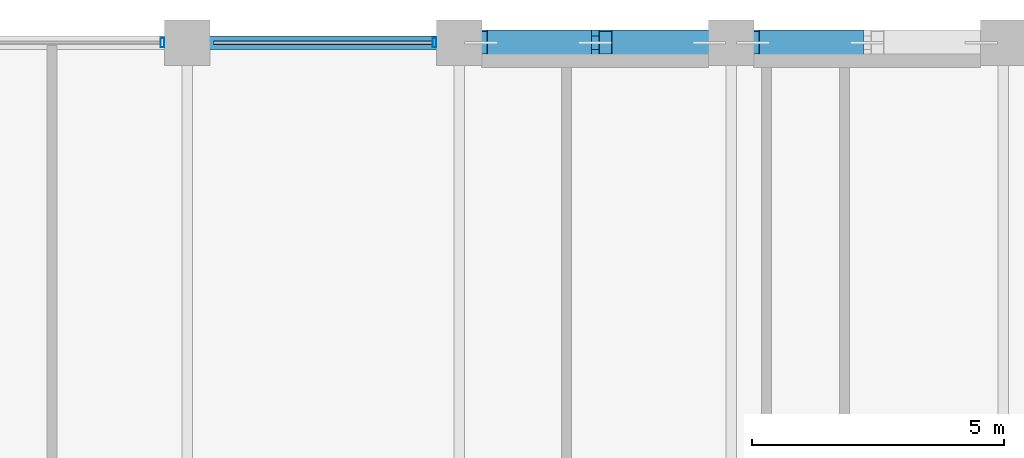
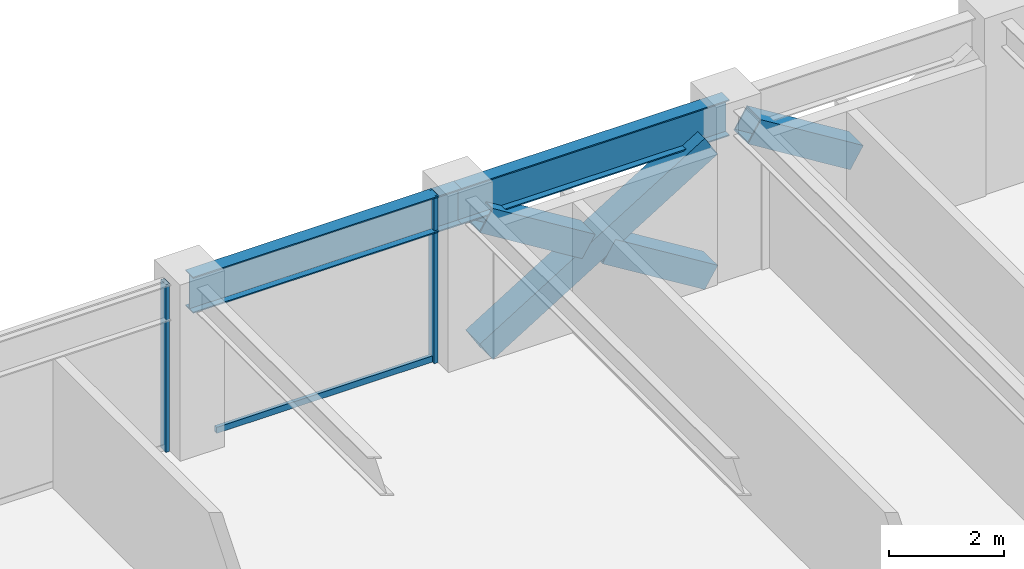
# One storey, part 20 of 32: 7 members, 2 beams, 1 element without a shape of its own.
"""IFC4 building model written with IfcOpenShell, lengths in metres."""

from ifc_helpers import new_model, si_unit, direction, frame, origin, origin_2d, place, context, subcontext, project, spatial, hollow_rectangle, i_section, extrude, material, layer, layer_set, material_profile, profile_set, type_object, element, aggregate, save


model = new_model("IFC4")

# Units and contexts
model_context = context("Model", 3, precision=1e-05, world=origin(), true_north=direction((0.0, 1.0)))
body_context = subcontext(model_context, "Body", "Model", "MODEL_VIEW")
ifc_project = project(units=[si_unit("LENGTHUNIT", "METRE"), si_unit("AREAUNIT", "SQUARE_METRE"), si_unit("VOLUMEUNIT", "CUBIC_METRE"), si_unit("PLANEANGLEUNIT", "RADIAN"), si_unit("MASSUNIT", "GRAM", prefix="KILO")], contexts=[model_context])

# Site, building, storey
site_placement = place(None, origin())
site = spatial("IfcSite", under=ifc_project, at=site_placement, CompositionType="ELEMENT")
building_placement = place(site_placement, origin())
building = spatial("IfcBuilding", under=site, at=building_placement, Name="Surkhivell Harbour Commons", CompositionType="ELEMENT")
storey_placement = place(building_placement, frame((0.0, 0.0, 186.0)))
storey = spatial("IfcBuildingStorey", under=building, at=storey_placement, Name="L48", CompositionType="ELEMENT", Elevation=186.0)

# Beams
ifc_material_1 = material(Name="Steel S355", Category="steel")
ifc_material_profile_1 = material_profile(ifc_material_1, i_section(OverallWidth=0.26806640625, OverallDepth=0.77001953125, WebThickness=0.015625, FlangeThickness=0.025390625, at=origin_2d()), Name="UB762x267x197")
ifc_profile_set_1 = profile_set([ifc_material_profile_1], Name="Steel S355")
beam_type = type_object("IfcBeamType", Name="BM-SPN-762", PredefinedType="SPANDREL", material=ifc_profile_set_1)
beam_1_placement = place(storey_placement, frame((-10.800048828125, 25.89990234375, 3.18505859375), z_axis=(1.0, 0.0, 0.0), x_axis=(0.0, 1.0, 0.0)))
element("IfcBeam", 1, at=beam_1_placement, inside=storey, type_object=beam_type, Name="L48 Tube Spandrel (-10.8,25.9)", PredefinedType="SPANDREL", context=body_context, shape_type="SweptSolid", body=[
    extrude(i_section(OverallWidth=0.26806640625, OverallDepth=0.77001953125, WebThickness=0.015625, FlangeThickness=0.025390625, at=origin_2d()), origin(), (0.0, 0.0, 1.0), 5.400146484375),
])
beam_2_placement = place(storey_placement, frame((-5.39990234375, 25.89990234375, 3.18505859375), z_axis=(1.0, 0.0, 0.0), x_axis=(0.0, 1.0, 0.0)))
element("IfcBeam", 2, at=beam_2_placement, inside=storey, type_object=beam_type, Name="L48 Tube Spandrel (-5.4,25.9)", PredefinedType="SPANDREL", context=body_context, shape_type="SweptSolid", body=[
    extrude(i_section(OverallWidth=0.26806640625, OverallDepth=0.77001953125, WebThickness=0.015625, FlangeThickness=0.025390625, at=origin_2d()), origin(), (0.0, 0.0, 1.0), 5.39990234375),
])

# Curtain wall, members
ifc_material_2 = material(Name="Anodised pale-metal aluminium and insulated glazing", Category="aluminium")
ifc_layer = layer(ifc_material_2, 0.18994140625)
ifc_layer_set = layer_set([ifc_layer], Name="Anodised pale-metal aluminium and insulated glazing")
curtain_wall_type = type_object("IfcCurtainWallType", Name="CW-SYS-Z3", PredefinedType="NOTDEFINED", material=ifc_layer_set)
curtain_wall_placement = place(storey_placement, origin())
curtain_wall = element("IfcCurtainWall", 3, at=curtain_wall_placement, inside=storey, type_object=curtain_wall_type, Name="L48 Curtain Wall CW-L48-E07S2", PredefinedType="NOTDEFINED")
ifc_material_3 = material(Name="Anodised pale-metal aluminium alloy 6063-T6", Category="aluminium")
ifc_material_profile_2 = material_profile(ifc_material_3, hollow_rectangle(XDim=0.074951171875, YDim=0.18994140625, WallThickness=0.00390625, at=origin_2d()), Name="ALU-MULL-75x190")
ifc_profile_set_2 = profile_set([ifc_material_profile_2], Name="Anodised pale-metal aluminium alloy 6063-T6")
member_type_1 = type_object("IfcMemberType", Name="CWM-190", PredefinedType="MULLION", material=ifc_profile_set_2)
member_1_placement = place(storey_placement, frame((-5.889404296875, 25.89990234375, 0.0), z_axis=(0.0, 0.0, 1.0), x_axis=(-1.0, 0.0, 0.0)))
member_1 = element("IfcMember", 4, at=member_1_placement, type_object=member_type_1, Name="CW-Z3 mullion 1", PredefinedType="MULLION", context=body_context, shape_type="SweptSolid", body=[
    extrude(hollow_rectangle(XDim=0.074951171875, YDim=0.18994140625, WallThickness=0.00390625, at=origin_2d()), origin(), (0.0, 0.0, 1.0), 3.570068359375),
])
member_2_placement = place(storey_placement, frame((-11.28955078125, 25.89990234375, 0.0), z_axis=(0.0, 0.0, 1.0), x_axis=(-1.0, 0.0, 0.0)))
member_2 = element("IfcMember", 5, at=member_2_placement, type_object=member_type_1, Name="CW-Z3 mullion 2", PredefinedType="MULLION", context=body_context, shape_type="SweptSolid", body=[
    extrude(hollow_rectangle(XDim=0.074951171875, YDim=0.18994140625, WallThickness=0.00390625, at=origin_2d()), origin(), (0.0, 0.0, 1.0), 3.570068359375),
])
ifc_material_4 = material(Name="Champagne anodised aluminium alloy 6063-T6", Category="aluminium")
ifc_material_profile_3 = material_profile(ifc_material_4, hollow_rectangle(XDim=0.070068359375, YDim=0.1298828125, WallThickness=0.00341796875, at=origin_2d()), Name="ALU-TRAN-70x130")
ifc_profile_set_3 = profile_set([ifc_material_profile_3], Name="Champagne anodised aluminium alloy 6063-T6")
member_type_2 = type_object("IfcMemberType", Name="CWT-130", PredefinedType="USERDEFINED", material=ifc_profile_set_3)
member_3_placement = place(storey_placement, frame((-5.927001953125, 25.89990234375, 0.06494140625), z_axis=(-1.0, 0.0, 0.0), x_axis=(0.0, -1.0, 0.0)))
member_3 = element("IfcMember", 6, at=member_3_placement, type_object=member_type_2, Name="CW-Z3 transom 1.1", ObjectType="TRANSOM", PredefinedType="USERDEFINED", context=body_context, shape_type="SweptSolid", body=[
    extrude(hollow_rectangle(XDim=0.070068359375, YDim=0.1298828125, WallThickness=0.00341796875, at=origin_2d()), origin(), (0.0, 0.0, 1.0), 4.345947265625),
])
aggregate(curtain_wall, [member_1, member_3, member_2])

# Members
ifc_material_5 = material(Name="Steel S460", Category="steel")
ifc_material_profile_4 = material_profile(ifc_material_5, hollow_rectangle(XDim=0.5, YDim=0.5, WallThickness=0.02490234375, at=origin_2d()), Name="SHS500x500x25")
ifc_profile_set_4 = profile_set([ifc_material_profile_4], Name="Steel S460")
member_type_3 = type_object("IfcMemberType", Name="MEM-BRC-SHS500", PredefinedType="BRACE", material=ifc_profile_set_4)
member_4_placement = place(storey_placement, frame((-4.965087890625, 25.89990234375, 0.008056640625), z_axis=(0.850971032488, 0.0, 0.525212625387), x_axis=(0.0, 1.0, 0.0)))
element("IfcMember", 7, at=member_4_placement, inside=storey, type_object=member_type_3, Name="L48 Perimeter Mega-Brace MB- 01", PredefinedType="BRACE", context=body_context, shape_type="SweptSolid", body=[
    extrude(hollow_rectangle(XDim=0.5, YDim=0.5, WallThickness=0.02490234375, at=origin_2d()), origin(), (0.0, 0.0, 1.0), 5.323486328125),
])
for number, where, z_axis, x_axis, name in (
    (8, (-0.43505859375, 25.89990234375, 0.008056640625), (-0.8510034189, 0.0, 0.525160147974), (0.0, -1.0, 0.0), "L48 Perimeter Mega-Brace MB- 02"),
    (9, (-2.904296875, 25.89990234375, 1.531982421875), (-0.850958361341, 0.0, 0.525233155146), (0.0, -1.0, 0.0), "L48 Perimeter Mega-Brace MB- 03"),
    (10, (2.495849609375, 25.89990234375, 1.531982421875), (-0.850958361341, 0.0, 0.525233155146), (0.0, -1.0, 0.0), "L48 Perimeter Mega-Brace MB- 06"),
):
    element("IfcMember", number, at=place(storey_placement, frame(where, z_axis=z_axis, x_axis=x_axis)), inside=storey, type_object=member_type_3, Name=name, PredefinedType="BRACE", context=body_context, shape_type="SweptSolid", body=[
        extrude(hollow_rectangle(XDim=0.5, YDim=0.5, WallThickness=0.02490234375, at=origin_2d()), origin(), (0.0, 0.0, 1.0), 2.421630859375),
    ])

save(model, "model.ifc")
